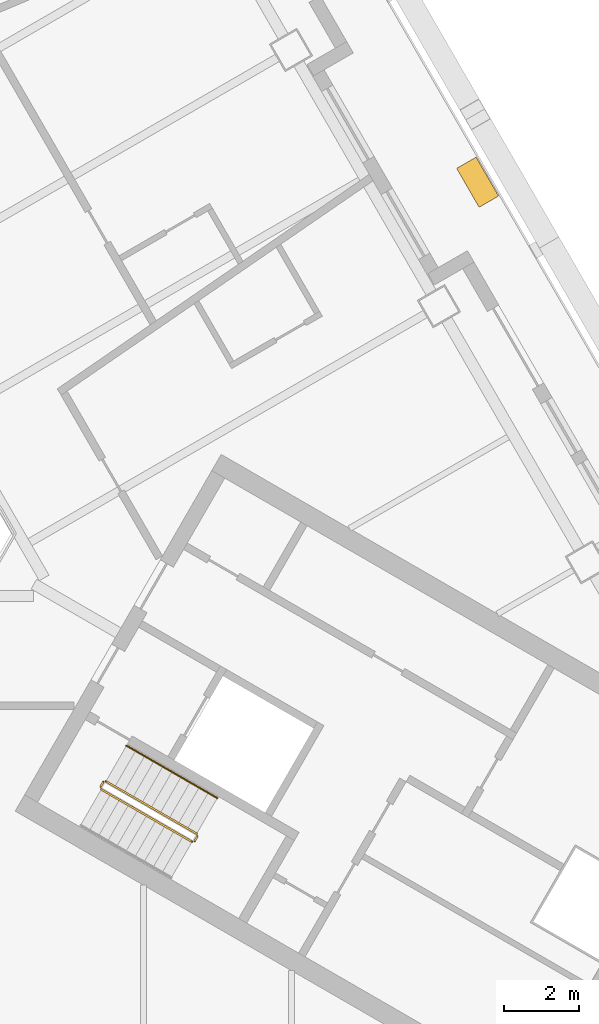
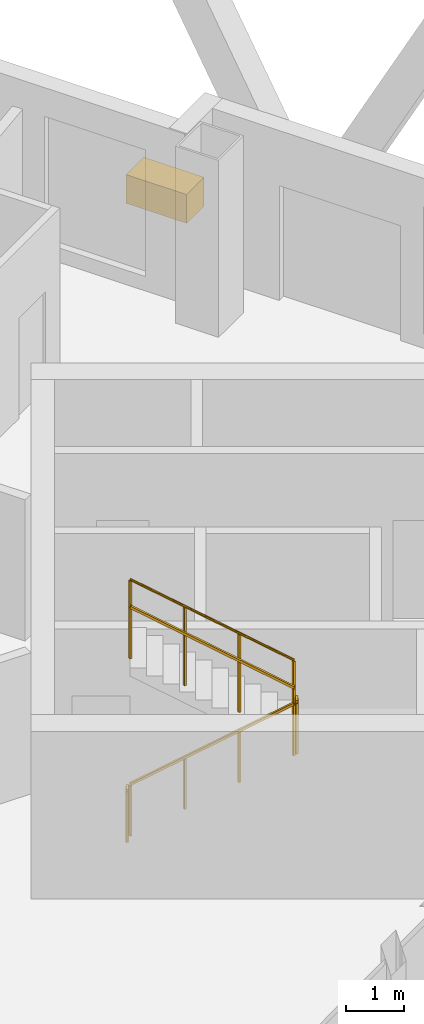
# One storey, part 11 of 13: 5 railings, 1 covering.
"""IFC4 building model written with IfcOpenShell, lengths in metres."""

from ifc_helpers import new_model, si_unit, direction, frame, origin, origin_2d, place, context, subcontext, project, spatial, rectangle, circle, extrude, material, type_object, element, save


model = new_model("IFC4")

# Units and contexts
model_context = context("Model", 3, precision=1e-05, world=origin(), true_north=direction((0.0, 1.0)))
body_context = subcontext(model_context, "Body", "Model", "MODEL_VIEW")
ifc_project = project(units=[si_unit("LENGTHUNIT", "METRE"), si_unit("AREAUNIT", "SQUARE_METRE"), si_unit("VOLUMEUNIT", "CUBIC_METRE"), si_unit("PLANEANGLEUNIT", "RADIAN"), si_unit("MASSUNIT", "GRAM", prefix="KILO")], contexts=[model_context])

# Site, building, storey
site_placement = place(None, origin())
site = spatial("IfcSite", under=ifc_project, at=site_placement, CompositionType="ELEMENT")
building_placement = place(site_placement, origin())
building = spatial("IfcBuilding", under=site, at=building_placement, Name="Apuvela Tower Hotel", CompositionType="ELEMENT")
storey_placement = place(building_placement, frame((0.0, 0.0, 161.39990234375)))
storey = spatial("IfcBuildingStorey", under=building, at=storey_placement, Name="L38", CompositionType="ELEMENT", Elevation=161.39990234375)

# Railings
ifc_material_1 = material(Name="Steel S275 balustrade", Category="steel")
railing_type_1 = type_object("IfcRailingType", Name="COR-GUARD-1100", PredefinedType="GUARDRAIL", material=ifc_material_1)
railing_1_placement = place(storey_placement, frame((10.718994140625, -10.63427734375, 0.168212890625)))
element("IfcRailing", 1, at=railing_1_placement, inside=storey, type_object=railing_type_1, Name="L38 ST3 stair guard 1", PredefinedType="GUARDRAIL", context=body_context, shape_type="SweptSolid", body=[
    extrude(rectangle(XDim=0.048095703125, YDim=0.048095703125, at=origin_2d()), frame((0.0, 0.0, 1.076171875), z_axis=(0.742390482028, -0.42860119049, 0.514934356695), x_axis=(0.49998411664, 0.866034573852, 0.0)), (0.0, 0.0, 1.0), 3.26611328125),
    extrude(rectangle(XDim=0.0419921875, YDim=0.0419921875, at=origin_2d()), origin(), (0.0, 0.0, 1.0), 1.052001953125),
    extrude(rectangle(XDim=0.0419921875, YDim=0.0419921875, at=origin_2d()), frame((0.808349609375, -0.466552734375, 0.560546875)), (0.0, 0.0, 1.0), 1.052001953125),
    extrude(rectangle(XDim=0.0419921875, YDim=0.0419921875, at=origin_2d()), frame((1.616455078125, -0.933349609375, 1.121337890625)), (0.0, 0.0, 1.0), 1.052001953125),
    extrude(rectangle(XDim=0.0419921875, YDim=0.0419921875, at=origin_2d()), frame((2.4248046875, -1.39990234375, 1.681884765625)), (0.0, 0.0, 1.0), 1.052001953125),
])
railing_2_placement = place(storey_placement, frame((13.212158203125, -12.015869140625, 1.85009765625)))
element("IfcRailing", 2, at=railing_2_placement, inside=storey, type_object=railing_type_1, Name="L38 ST3 stair guard 2", PredefinedType="GUARDRAIL", context=body_context, shape_type="SweptSolid", body=[
    extrude(rectangle(XDim=0.048095703125, YDim=0.048095703125, at=origin_2d()), frame((0.0, 0.0, 1.076171875), z_axis=(0.499816412211, 0.866131372301, 0.0), x_axis=(-0.866131372301, 0.499816412211, 0.0)), (0.0, 0.0, 1.0), 0.14990234375),
    extrude(rectangle(XDim=0.0419921875, YDim=0.0419921875, at=origin_2d()), origin(), (0.0, 0.0, 1.0), 1.052001953125),
    extrude(rectangle(XDim=0.0419921875, YDim=0.0419921875, at=origin_2d()), frame((0.074951171875, 0.1298828125, 0.0)), (0.0, 0.0, 1.0), 1.052001953125),
])
railing_3_placement = place(storey_placement, frame((13.268798828125, -11.817626953125, 2.018310546875)))
element("IfcRailing", 3, at=railing_3_placement, inside=storey, type_object=railing_type_1, Name="L38 ST3 stair guard 3", PredefinedType="GUARDRAIL", context=body_context, shape_type="SweptSolid", body=[
    extrude(rectangle(XDim=0.048095703125, YDim=0.048095703125, at=origin_2d()), frame((0.0, 0.0, 1.076171875), z_axis=(-0.742390482028, 0.42860119049, 0.514934356695), x_axis=(-0.49998411664, -0.866034573852, 0.0)), (0.0, 0.0, 1.0), 3.26611328125),
    extrude(rectangle(XDim=0.0419921875, YDim=0.0419921875, at=origin_2d()), origin(), (0.0, 0.0, 1.0), 1.052001953125),
    extrude(rectangle(XDim=0.0419921875, YDim=0.0419921875, at=origin_2d()), frame((-0.808349609375, 0.466552734375, 0.560546875)), (0.0, 0.0, 1.0), 1.052001953125),
    extrude(rectangle(XDim=0.0419921875, YDim=0.0419921875, at=origin_2d()), frame((-1.616455078125, 0.933349609375, 1.121337890625)), (0.0, 0.0, 1.0), 1.052001953125),
    extrude(rectangle(XDim=0.0419921875, YDim=0.0419921875, at=origin_2d()), frame((-2.4248046875, 1.39990234375, 1.681884765625)), (0.0, 0.0, 1.0), 1.052001953125),
])
railing_4_placement = place(storey_placement, frame((10.70068359375, -10.56591796875, 0.0)))
element("IfcRailing", 4, at=railing_4_placement, inside=storey, type_object=railing_type_1, Name="L38 ST3 stair guard 4", PredefinedType="GUARDRAIL", context=body_context, shape_type="SweptSolid", body=[
    extrude(rectangle(XDim=0.048095703125, YDim=0.048095703125, at=origin_2d()), frame((0.0, 0.0, 1.076171875), z_axis=(0.499816412211, 0.866131372301, 0.0), x_axis=(-0.866131372301, 0.499816412211, 0.0)), (0.0, 0.0, 1.0), 0.14990234375),
    extrude(rectangle(XDim=0.0419921875, YDim=0.0419921875, at=origin_2d()), origin(), (0.0, 0.0, 1.0), 1.052001953125),
    extrude(rectangle(XDim=0.0419921875, YDim=0.0419921875, at=origin_2d()), frame((0.074951171875, 0.1298828125, 0.0)), (0.0, 0.0, 1.0), 1.052001953125),
])
ifc_material_2 = material(Name="Stainless steel 316 handrail", Category="steel")
railing_type_2 = type_object("IfcRailingType", Name="COR-HANDRAIL-900", PredefinedType="HANDRAIL", material=ifc_material_2)
railing_5_placement = place(storey_placement, frame((13.81884765625, -10.864990234375, 2.018310546875)))
element("IfcRailing", 5, at=railing_5_placement, inside=storey, type_object=railing_type_2, Name="L38 ST3 stair handrail 2", PredefinedType="HANDRAIL", context=body_context, shape_type="SweptSolid", body=[
    extrude(circle(Radius=0.02392578125, at=origin_2d()), frame((0.0, 0.0, 0.8759765625), z_axis=(-0.742390482028, 0.42860119049, 0.514934356695), x_axis=(-0.49998411664, -0.866034573852, 0.0)), (0.0, 0.0, 1.0), 3.26611328125),
    extrude(rectangle(XDim=0.0419921875, YDim=0.0419921875, at=origin_2d()), origin(), (0.0, 0.0, 1.0), 0.851806640625),
    extrude(rectangle(XDim=0.0419921875, YDim=0.0419921875, at=origin_2d()), frame((-0.808349609375, 0.466552734375, 0.560546875)), (0.0, 0.0, 1.0), 0.851806640625),
    extrude(rectangle(XDim=0.0419921875, YDim=0.0419921875, at=origin_2d()), frame((-1.616455078125, 0.933349609375, 1.121337890625)), (0.0, 0.0, 1.0), 0.851806640625),
    extrude(rectangle(XDim=0.0419921875, YDim=0.0419921875, at=origin_2d()), frame((-2.4248046875, 1.39990234375, 1.681884765625)), (0.0, 0.0, 1.0), 0.851806640625),
])

# Covering
ifc_material_3 = material(Name="Planting substrate and soil, planted")
covering_type = type_object("IfcCoveringType", Name="ENV-PLANTER-1200x600", PredefinedType="USERDEFINED", material=ifc_material_3)
covering_placement = place(storey_placement, frame((20.77099609375, 5.58349609375, 0.0), z_axis=(0.0, 0.0, 1.0), x_axis=(-0.5, 0.866025403784, 0.0)))
element("IfcCovering", 6, at=covering_placement, inside=storey, type_object=covering_type, Name="Planter NE2", ObjectType="PLANTER", PredefinedType="USERDEFINED", context=body_context, shape_type="SweptSolid", body=[
    extrude(rectangle(XDim=1.199951171875, YDim=0.60009765625, at=origin_2d()), origin(), (0.0, 0.0, 1.0), 0.60009765625),
])

save(model, "model.ifc")
